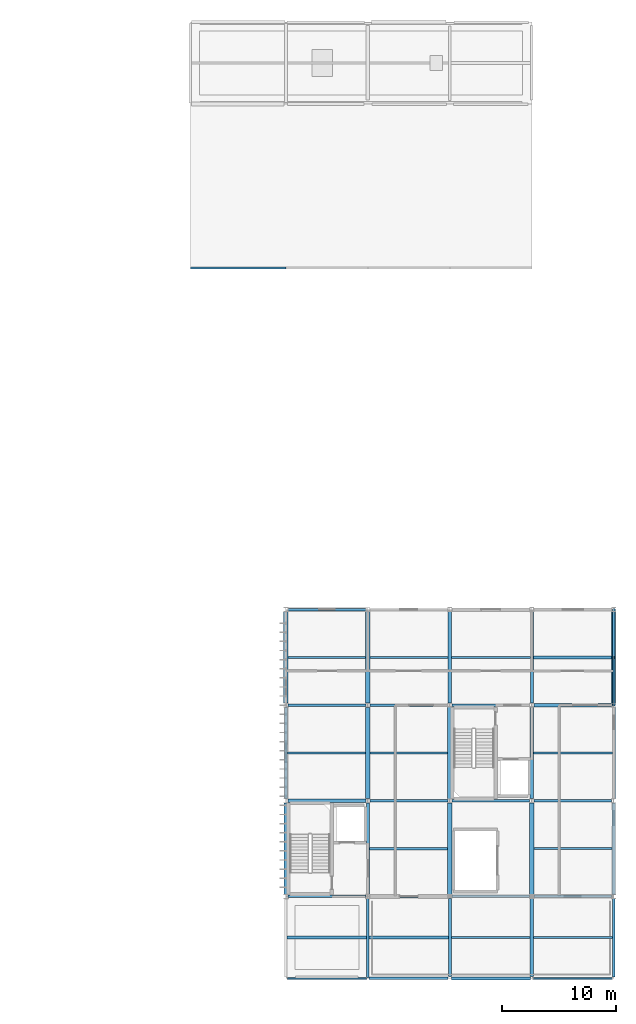
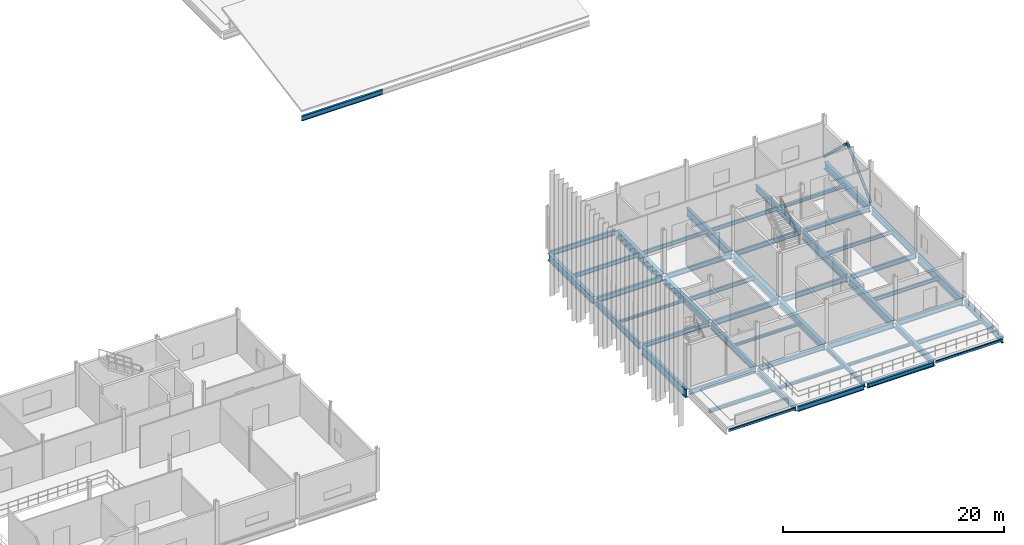
# One storey, part 17 of 45: 50 beams, 2 members.
"""IFC4 building model written with IfcOpenShell, lengths in metres."""

from ifc_helpers import new_model, si_unit, direction, frame, origin, origin_2d, place, context, subcontext, project, spatial, hollow_rectangle, hollow_circle, i_section, extrude, material, material_profile, profile_set, type_object, element, save


model = new_model("IFC4")

# Units and contexts
model_context = context("Model", 3, precision=1e-05, world=origin(), true_north=direction((0.0, 1.0)))
body_context = subcontext(model_context, "Body", "Model", "MODEL_VIEW")
ifc_project = project(units=[si_unit("LENGTHUNIT", "METRE"), si_unit("AREAUNIT", "SQUARE_METRE"), si_unit("VOLUMEUNIT", "CUBIC_METRE"), si_unit("PLANEANGLEUNIT", "RADIAN"), si_unit("MASSUNIT", "GRAM", prefix="KILO")], contexts=[model_context])

# Site, building, storey
site_placement = place(None, origin())
site = spatial("IfcSite", under=ifc_project, at=site_placement, CompositionType="ELEMENT")
building_placement = place(site_placement, origin())
building = spatial("IfcBuilding", under=site, at=building_placement, Name="Calvrana Isthmian Art Gallery", CompositionType="ELEMENT")
storey_placement = place(building_placement, frame((0.0, 0.0, 19.800048828125)))
storey = spatial("IfcBuildingStorey", under=building, at=storey_placement, Name="L04", CompositionType="ELEMENT", Elevation=19.800048828125)

# Beams
ifc_material_1 = material(Name="Steel ASTM A992 Gr 50", Category="steel")
ifc_material_profile_1 = material_profile(ifc_material_1, i_section(OverallWidth=0.279052734375, OverallDepth=0.4619140625, WebThickness=0.0107421875, FlangeThickness=0.017333984375, FilletRadius=0.02001953125, at=origin_2d()), Name="W18X76")
ifc_profile_set_1 = profile_set([ifc_material_profile_1], Name="Steel ASTM A992 Gr 50")
beam_type_1 = type_object("IfcBeamType", Name="BM-G-W18X76", PredefinedType="BEAM", material=ifc_profile_set_1)
beam_1_placement = place(storey_placement, frame((127.352294921875, 14.39990234375, -0.49609375), z_axis=(1.0, 0.0, 0.0), x_axis=(0.0, 1.0, 0.0)))
element("IfcBeam", 1, at=beam_1_placement, inside=storey, type_object=beam_type_1, Name="Girder X L04 17-18/C", PredefinedType="BEAM", context=body_context, shape_type="SweptSolid", body=[
    extrude(i_section(OverallWidth=0.279052734375, OverallDepth=0.4619140625, WebThickness=0.0107421875, FlangeThickness=0.017333984375, FilletRadius=0.02001953125, at=origin_2d()), origin(), (0.0, 0.0, 1.0), 6.946044921875),
])
beam_2_placement = place(storey_placement, frame((120.18408203125, 21.60009765625, -0.49609375), z_axis=(1.0, 0.0, 0.0), x_axis=(0.0, 1.0, 0.0)))
element("IfcBeam", 2, at=beam_2_placement, inside=storey, type_object=beam_type_1, Name="Girder X L04 16-17/D", PredefinedType="BEAM", context=body_context, shape_type="SweptSolid", body=[
    extrude(i_section(OverallWidth=0.279052734375, OverallDepth=0.4619140625, WebThickness=0.0107421875, FlangeThickness=0.017333984375, FilletRadius=0.02001953125, at=origin_2d()), origin(), (0.0, 0.0, 1.0), 6.829345703125),
])
beam_3_placement = place(storey_placement, frame((112.986572265625, 30.0, -0.49609375), z_axis=(1.0, 0.0, 0.0), x_axis=(0.0, 1.0, 0.0)))
element("IfcBeam", 3, at=beam_3_placement, inside=storey, type_object=beam_type_1, Name="Girder X L04 15-16/E", PredefinedType="BEAM", context=body_context, shape_type="SweptSolid", body=[
    extrude(i_section(OverallWidth=0.279052734375, OverallDepth=0.4619140625, WebThickness=0.0107421875, FlangeThickness=0.017333984375, FilletRadius=0.02001953125, at=origin_2d()), origin(), (0.0, 0.0, 1.0), 6.827880859375),
])
beam_4_placement = place(storey_placement, frame((134.583984375, 38.39990234375, -0.49609375), z_axis=(1.0, 0.0, 0.0), x_axis=(0.0, 1.0, 0.0)))
element("IfcBeam", 4, at=beam_4_placement, inside=storey, type_object=beam_type_1, Name="Girder X L04 18-19/F", PredefinedType="BEAM", context=body_context, shape_type="SweptSolid", body=[
    extrude(i_section(OverallWidth=0.279052734375, OverallDepth=0.4619140625, WebThickness=0.0107421875, FlangeThickness=0.017333984375, FilletRadius=0.02001953125, at=origin_2d()), origin(), (0.0, 0.0, 1.0), 6.82958984375),
])
beam_5_placement = place(storey_placement, frame((127.199951171875, 14.552490234375, -0.49609375), z_axis=(0.0, 1.0, 0.0), x_axis=(-1.0, 0.0, 0.0)))
element("IfcBeam", 5, at=beam_5_placement, inside=storey, type_object=beam_type_1, Name="Girder Y L04 17/C-D", PredefinedType="BEAM", context=body_context, shape_type="SweptSolid", body=[
    extrude(i_section(OverallWidth=0.279052734375, OverallDepth=0.4619140625, WebThickness=0.0107421875, FlangeThickness=0.017333984375, FilletRadius=0.02001953125, at=origin_2d()), origin(), (0.0, 0.0, 1.0), 6.861083984375),
])
ifc_material_profile_2 = material_profile(ifc_material_1, i_section(OverallWidth=0.208984375, OverallDepth=0.532958984375, WebThickness=0.01025390625, FlangeThickness=0.015625, FilletRadius=0.02099609375, at=origin_2d()), Name="W21X62")
ifc_profile_set_2 = profile_set([ifc_material_profile_2], Name="Steel ASTM A992 Gr 50")
beam_type_2 = type_object("IfcBeamType", Name="BM-G-W21X62", PredefinedType="BEAM", material=ifc_profile_set_2)
beam_6_placement = place(storey_placement, frame((120.1015625, 14.39990234375, -0.531494140625), z_axis=(1.0, 0.0, 0.0), x_axis=(0.0, 1.0, 0.0)))
element("IfcBeam", 6, at=beam_6_placement, inside=storey, type_object=beam_type_2, Name="Girder X L04 16-17/C", PredefinedType="BEAM", context=body_context, shape_type="SweptSolid", body=[
    extrude(i_section(OverallWidth=0.208984375, OverallDepth=0.532958984375, WebThickness=0.01025390625, FlangeThickness=0.015625, FilletRadius=0.02099609375, at=origin_2d()), origin(), (0.0, 0.0, 1.0), 6.946044921875),
])
beam_7_placement = place(storey_placement, frame((112.985595703125, 21.60009765625, -0.531494140625), z_axis=(1.0, 0.0, 0.0), x_axis=(0.0, 1.0, 0.0)))
element("IfcBeam", 7, at=beam_7_placement, inside=storey, type_object=beam_type_2, Name="Girder X L04 15-16/D", PredefinedType="BEAM", context=body_context, shape_type="SweptSolid", body=[
    extrude(i_section(OverallWidth=0.208984375, OverallDepth=0.532958984375, WebThickness=0.01025390625, FlangeThickness=0.015625, FilletRadius=0.02099609375, at=origin_2d()), origin(), (0.0, 0.0, 1.0), 6.830322265625),
])
beam_8_placement = place(storey_placement, frame((134.58642578125, 30.0, -0.531494140625), z_axis=(1.0, 0.0, 0.0), x_axis=(0.0, 1.0, 0.0)))
element("IfcBeam", 8, at=beam_8_placement, inside=storey, type_object=beam_type_2, Name="Girder X L04 18-19/E", PredefinedType="BEAM", context=body_context, shape_type="SweptSolid", body=[
    extrude(i_section(OverallWidth=0.208984375, OverallDepth=0.532958984375, WebThickness=0.01025390625, FlangeThickness=0.015625, FilletRadius=0.02099609375, at=origin_2d()), origin(), (0.0, 0.0, 1.0), 6.8271484375),
])
beam_9_placement = place(storey_placement, frame((127.385498046875, 38.39990234375, -0.531494140625), z_axis=(1.0, 0.0, 0.0), x_axis=(0.0, 1.0, 0.0)))
element("IfcBeam", 9, at=beam_9_placement, inside=storey, type_object=beam_type_2, Name="Girder X L04 17-18/F", PredefinedType="BEAM", context=body_context, shape_type="SweptSolid", body=[
    extrude(i_section(OverallWidth=0.208984375, OverallDepth=0.532958984375, WebThickness=0.01025390625, FlangeThickness=0.015625, FilletRadius=0.02099609375, at=origin_2d()), origin(), (0.0, 0.0, 1.0), 6.83056640625),
])
beam_10_placement = place(storey_placement, frame((120.0, 14.501708984375, -0.531494140625), z_axis=(0.0, 1.0, 0.0), x_axis=(-1.0, 0.0, 0.0)))
element("IfcBeam", 10, at=beam_10_placement, inside=storey, type_object=beam_type_2, Name="Girder Y L04 16/C-D", PredefinedType="BEAM", context=body_context, shape_type="SweptSolid", body=[
    extrude(i_section(OverallWidth=0.208984375, OverallDepth=0.532958984375, WebThickness=0.01025390625, FlangeThickness=0.015625, FilletRadius=0.02099609375, at=origin_2d()), origin(), (0.0, 0.0, 1.0), 6.92041015625),
])
beam_11_placement = place(storey_placement, frame((104.39990234375, 76.800048828125, -0.820068359375), z_axis=(1.0, 0.0, 0.0), x_axis=(0.0, 1.0, 0.0)))
element("IfcBeam", 11, at=beam_11_placement, inside=storey, type_object=beam_type_2, Name="Sloped roof rafter SROOF_V5_CLER-31", PredefinedType="BEAM", context=body_context, shape_type="SweptSolid", body=[
    extrude(i_section(OverallWidth=0.208984375, OverallDepth=0.532958984375, WebThickness=0.01025390625, FlangeThickness=0.015625, FilletRadius=0.02099609375, at=origin_2d()), origin(), (0.0, 0.0, 1.0), 8.400146484375),
])
ifc_material_profile_3 = material_profile(ifc_material_1, i_section(OverallWidth=0.214111328125, OverallDepth=0.549072265625, WebThickness=0.0146484375, FlangeThickness=0.023681640625, FilletRadius=0.02099609375, at=origin_2d()), Name="W21X93")
ifc_profile_set_3 = profile_set([ifc_material_profile_3], Name="Steel ASTM A992 Gr 50")
beam_type_3 = type_object("IfcBeamType", Name="BM-G-W21X93", PredefinedType="BEAM", material=ifc_profile_set_3)
beam_12_placement = place(storey_placement, frame((134.58642578125, 21.60009765625, -0.53955078125), z_axis=(1.0, 0.0, 0.0), x_axis=(0.0, 1.0, 0.0)))
element("IfcBeam", 12, at=beam_12_placement, inside=storey, type_object=beam_type_3, Name="Girder X L04 18-19/D", PredefinedType="BEAM", context=body_context, shape_type="SweptSolid", body=[
    extrude(i_section(OverallWidth=0.214111328125, OverallDepth=0.549072265625, WebThickness=0.0146484375, FlangeThickness=0.023681640625, FilletRadius=0.02099609375, at=origin_2d()), origin(), (0.0, 0.0, 1.0), 6.828125),
])
beam_13_placement = place(storey_placement, frame((127.384033203125, 30.0, -0.53955078125), z_axis=(1.0, 0.0, 0.0), x_axis=(0.0, 1.0, 0.0)))
element("IfcBeam", 13, at=beam_13_placement, inside=storey, type_object=beam_type_3, Name="Girder X L04 17-18/E", PredefinedType="BEAM", context=body_context, shape_type="SweptSolid", body=[
    extrude(i_section(OverallWidth=0.214111328125, OverallDepth=0.549072265625, WebThickness=0.0146484375, FlangeThickness=0.023681640625, FilletRadius=0.02099609375, at=origin_2d()), origin(), (0.0, 0.0, 1.0), 6.829345703125),
])
beam_14_placement = place(storey_placement, frame((120.1865234375, 38.39990234375, -0.53955078125), z_axis=(1.0, 0.0, 0.0), x_axis=(0.0, 1.0, 0.0)))
element("IfcBeam", 14, at=beam_14_placement, inside=storey, type_object=beam_type_3, Name="Girder X L04 16-17/F", PredefinedType="BEAM", context=body_context, shape_type="SweptSolid", body=[
    extrude(i_section(OverallWidth=0.214111328125, OverallDepth=0.549072265625, WebThickness=0.0146484375, FlangeThickness=0.023681640625, FilletRadius=0.02099609375, at=origin_2d()), origin(), (0.0, 0.0, 1.0), 6.827880859375),
])
beam_15_placement = place(storey_placement, frame((112.98388671875, 46.800048828125, -0.53955078125), z_axis=(1.0, 0.0, 0.0), x_axis=(0.0, 1.0, 0.0)))
element("IfcBeam", 15, at=beam_15_placement, inside=storey, type_object=beam_type_3, Name="Girder X L04 15-16/G", PredefinedType="BEAM", context=body_context, shape_type="SweptSolid", body=[
    extrude(i_section(OverallWidth=0.214111328125, OverallDepth=0.549072265625, WebThickness=0.0146484375, FlangeThickness=0.023681640625, FilletRadius=0.02099609375, at=origin_2d()), origin(), (0.0, 0.0, 1.0), 6.82958984375),
])
ifc_material_profile_4 = material_profile(ifc_material_1, i_section(OverallWidth=0.324951171875, OverallDepth=0.612060546875, WebThickness=0.0126953125, FlangeThickness=0.01904296875, FilletRadius=0.02197265625, at=origin_2d()), Name="W24X104")
ifc_profile_set_4 = profile_set([ifc_material_profile_4], Name="Steel ASTM A992 Gr 50")
beam_type_4 = type_object("IfcBeamType", Name="BM-G-W24X104", PredefinedType="BEAM", material=ifc_profile_set_4)
beam_16_placement = place(storey_placement, frame((134.39990234375, 14.552490234375, -0.571044921875), z_axis=(0.0, 1.0, 0.0), x_axis=(-1.0, 0.0, 0.0)))
element("IfcBeam", 16, at=beam_16_placement, inside=storey, type_object=beam_type_4, Name="Girder Y L04 18/C-D", PredefinedType="BEAM", context=body_context, shape_type="SweptSolid", body=[
    extrude(i_section(OverallWidth=0.324951171875, OverallDepth=0.612060546875, WebThickness=0.0126953125, FlangeThickness=0.01904296875, FilletRadius=0.02197265625, at=origin_2d()), origin(), (0.0, 0.0, 1.0), 6.863525390625),
])
ifc_material_profile_5 = material_profile(ifc_material_1, i_section(OverallWidth=0.22802734375, OverallDepth=0.60693359375, WebThickness=0.01123046875, FlangeThickness=0.017333984375, FilletRadius=0.02197265625, at=origin_2d()), Name="W24X76")
ifc_profile_set_5 = profile_set([ifc_material_profile_5], Name="Steel ASTM A992 Gr 50")
beam_type_5 = type_object("IfcBeamType", Name="BM-G-W24X76", PredefinedType="BEAM", material=ifc_profile_set_5)
beam_17_placement = place(storey_placement, frame((127.386474609375, 21.60009765625, -0.568603515625), z_axis=(1.0, 0.0, 0.0), x_axis=(0.0, 1.0, 0.0)))
element("IfcBeam", 17, at=beam_17_placement, inside=storey, type_object=beam_type_5, Name="Girder X L04 17-18/D", PredefinedType="BEAM", context=body_context, shape_type="SweptSolid", body=[
    extrude(i_section(OverallWidth=0.22802734375, OverallDepth=0.60693359375, WebThickness=0.01123046875, FlangeThickness=0.017333984375, FilletRadius=0.02197265625, at=origin_2d()), origin(), (0.0, 0.0, 1.0), 6.826904296875),
])
beam_18_placement = place(storey_placement, frame((120.185546875, 30.0, -0.568603515625), z_axis=(1.0, 0.0, 0.0), x_axis=(0.0, 1.0, 0.0)))
element("IfcBeam", 18, at=beam_18_placement, inside=storey, type_object=beam_type_5, Name="Girder X L04 16-17/E", PredefinedType="BEAM", context=body_context, shape_type="SweptSolid", body=[
    extrude(i_section(OverallWidth=0.22802734375, OverallDepth=0.60693359375, WebThickness=0.01123046875, FlangeThickness=0.017333984375, FilletRadius=0.02197265625, at=origin_2d()), origin(), (0.0, 0.0, 1.0), 6.83056640625),
])
beam_19_placement = place(storey_placement, frame((112.986572265625, 38.39990234375, -0.568603515625), z_axis=(1.0, 0.0, 0.0), x_axis=(0.0, 1.0, 0.0)))
element("IfcBeam", 19, at=beam_19_placement, inside=storey, type_object=beam_type_5, Name="Girder X L04 15-16/F", PredefinedType="BEAM", context=body_context, shape_type="SweptSolid", body=[
    extrude(i_section(OverallWidth=0.22802734375, OverallDepth=0.60693359375, WebThickness=0.01123046875, FlangeThickness=0.017333984375, FilletRadius=0.02197265625, at=origin_2d()), origin(), (0.0, 0.0, 1.0), 6.826904296875),
])
beam_20_placement = place(storey_placement, frame((141.60009765625, 14.527099609375, -0.568603515625), z_axis=(0.0, 1.0, 0.0), x_axis=(-1.0, 0.0, 0.0)))
element("IfcBeam", 20, at=beam_20_placement, inside=storey, type_object=beam_type_5, Name="Girder Y L04 19/C-D", PredefinedType="BEAM", context=body_context, shape_type="SweptSolid", body=[
    extrude(i_section(OverallWidth=0.22802734375, OverallDepth=0.60693359375, WebThickness=0.01123046875, FlangeThickness=0.017333984375, FilletRadius=0.02197265625, at=origin_2d()), origin(), (0.0, 0.0, 1.0), 6.891357421875),
])
ifc_material_profile_6 = material_profile(ifc_material_1, i_section(OverallWidth=0.257080078125, OverallDepth=0.693115234375, WebThickness=0.014404296875, FlangeThickness=0.023681640625, FilletRadius=0.02392578125, at=origin_2d()), Name="W27X114")
ifc_profile_set_6 = profile_set([ifc_material_profile_6], Name="Steel ASTM A992 Gr 50")
beam_type_6 = type_object("IfcBeamType", Name="BM-G-W27X114", PredefinedType="BEAM", material=ifc_profile_set_6)
beam_21_placement = place(storey_placement, frame((112.800048828125, 30.18408203125, -0.611572265625), z_axis=(0.0, 1.0, 0.0), x_axis=(-1.0, 0.0, 0.0)))
element("IfcBeam", 21, at=beam_21_placement, inside=storey, type_object=beam_type_6, Name="Girder Y L04 15/E-F", PredefinedType="BEAM", context=body_context, shape_type="SweptSolid", body=[
    extrude(i_section(OverallWidth=0.257080078125, OverallDepth=0.693115234375, WebThickness=0.014404296875, FlangeThickness=0.023681640625, FilletRadius=0.02392578125, at=origin_2d()), origin(), (0.0, 0.0, 1.0), 8.029296875),
])
for number, where, z_axis, x_axis, name in (
    (22, (120.0, 21.778076171875, -0.611572265625), (0.0, 1.0, 0.0), (-1.0, 0.0, 0.0), "Girder Y L04 16/D-E"),
    (23, (134.39990234375, 38.577880859375, -0.611572265625), (0.0, 1.0, 0.0), (-1.0, 0.0, 0.0), "Girder Y L04 18/F-G"),
):
    element("IfcBeam", number, at=place(storey_placement, frame(where, z_axis=z_axis, x_axis=x_axis)), inside=storey, type_object=beam_type_6, Name=name, PredefinedType="BEAM", context=body_context, shape_type="SweptSolid", body=[
        extrude(i_section(OverallWidth=0.257080078125, OverallDepth=0.693115234375, WebThickness=0.014404296875, FlangeThickness=0.023681640625, FilletRadius=0.02392578125, at=origin_2d()), origin(), (0.0, 0.0, 1.0), 8.04052734375),
    ])
beam_22_placement = place(storey_placement, frame((141.60009765625, 30.18408203125, -0.611572265625), z_axis=(0.0, 1.0, 0.0), x_axis=(-1.0, 0.0, 0.0)))
element("IfcBeam", 24, at=beam_22_placement, inside=storey, type_object=beam_type_6, Name="Girder Y L04 19/E-F", PredefinedType="BEAM", context=body_context, shape_type="SweptSolid", body=[
    extrude(i_section(OverallWidth=0.257080078125, OverallDepth=0.693115234375, WebThickness=0.014404296875, FlangeThickness=0.023681640625, FilletRadius=0.02392578125, at=origin_2d()), origin(), (0.0, 0.0, 1.0), 8.029296875),
])
ifc_material_profile_7 = material_profile(ifc_material_1, i_section(OverallWidth=0.381103515625, OverallDepth=0.77197265625, WebThickness=0.0166015625, FlangeThickness=0.027099609375, FilletRadius=0.02490234375, at=origin_2d()), Name="W30X173")
ifc_profile_set_7 = profile_set([ifc_material_profile_7], Name="Steel ASTM A992 Gr 50")
beam_type_7 = type_object("IfcBeamType", Name="BM-G-W30X173", PredefinedType="BEAM", material=ifc_profile_set_7)
beam_23_placement = place(storey_placement, frame((112.800048828125, 38.58642578125, -0.651123046875), z_axis=(0.0, 1.0, 0.0), x_axis=(-1.0, 0.0, 0.0)))
element("IfcBeam", 25, at=beam_23_placement, inside=storey, type_object=beam_type_7, Name="Girder Y L04 15/F-G", PredefinedType="BEAM", context=body_context, shape_type="SweptSolid", body=[
    extrude(i_section(OverallWidth=0.381103515625, OverallDepth=0.77197265625, WebThickness=0.0166015625, FlangeThickness=0.027099609375, FilletRadius=0.02490234375, at=origin_2d()), origin(), (0.0, 0.0, 1.0), 8.03564453125),
])
beam_24_placement = place(storey_placement, frame((120.0, 30.181396484375, -0.651123046875), z_axis=(0.0, 1.0, 0.0), x_axis=(-1.0, 0.0, 0.0)))
element("IfcBeam", 26, at=beam_24_placement, inside=storey, type_object=beam_type_7, Name="Girder Y L04 16/E-F", PredefinedType="BEAM", context=body_context, shape_type="SweptSolid", body=[
    extrude(i_section(OverallWidth=0.381103515625, OverallDepth=0.77197265625, WebThickness=0.0166015625, FlangeThickness=0.027099609375, FilletRadius=0.02490234375, at=origin_2d()), origin(), (0.0, 0.0, 1.0), 8.03466796875),
])
beam_25_placement = place(storey_placement, frame((127.199951171875, 21.78662109375, -0.651123046875), z_axis=(0.0, 1.0, 0.0), x_axis=(-1.0, 0.0, 0.0)))
element("IfcBeam", 27, at=beam_25_placement, inside=storey, type_object=beam_type_7, Name="Girder Y L04 17/D-E", PredefinedType="BEAM", context=body_context, shape_type="SweptSolid", body=[
    extrude(i_section(OverallWidth=0.381103515625, OverallDepth=0.77197265625, WebThickness=0.0166015625, FlangeThickness=0.027099609375, FilletRadius=0.02490234375, at=origin_2d()), origin(), (0.0, 0.0, 1.0), 8.035400390625),
])
beam_26_placement = place(storey_placement, frame((141.60009765625, 38.58642578125, -0.651123046875), z_axis=(0.0, 1.0, 0.0), x_axis=(-1.0, 0.0, 0.0)))
element("IfcBeam", 28, at=beam_26_placement, inside=storey, type_object=beam_type_7, Name="Girder Y L04 19/F-G", PredefinedType="BEAM", context=body_context, shape_type="SweptSolid", body=[
    extrude(i_section(OverallWidth=0.381103515625, OverallDepth=0.77197265625, WebThickness=0.0166015625, FlangeThickness=0.027099609375, FilletRadius=0.02490234375, at=origin_2d()), origin(), (0.0, 0.0, 1.0), 8.03564453125),
])
ifc_material_profile_8 = material_profile(ifc_material_1, i_section(OverallWidth=0.40087890625, OverallDepth=0.85595703125, WebThickness=0.018310546875, FlangeThickness=0.029296875, FilletRadius=0.02587890625, at=origin_2d()), Name="W33X201")
ifc_profile_set_8 = profile_set([ifc_material_profile_8], Name="Steel ASTM A992 Gr 50")
beam_type_8 = type_object("IfcBeamType", Name="BM-G-W33X201", PredefinedType="BEAM", material=ifc_profile_set_8)
beam_27_placement = place(storey_placement, frame((120.0, 38.583984375, -0.693115234375), z_axis=(0.0, 1.0, 0.0), x_axis=(-1.0, 0.0, 0.0)))
element("IfcBeam", 29, at=beam_27_placement, inside=storey, type_object=beam_type_8, Name="Girder Y L04 16/F-G", PredefinedType="BEAM", context=body_context, shape_type="SweptSolid", body=[
    extrude(i_section(OverallWidth=0.40087890625, OverallDepth=0.85595703125, WebThickness=0.018310546875, FlangeThickness=0.029296875, FilletRadius=0.02587890625, at=origin_2d()), origin(), (0.0, 0.0, 1.0), 8.029541015625),
])
beam_28_placement = place(storey_placement, frame((127.199951171875, 30.177978515625, -0.693115234375), z_axis=(0.0, 1.0, 0.0), x_axis=(-1.0, 0.0, 0.0)))
element("IfcBeam", 30, at=beam_28_placement, inside=storey, type_object=beam_type_8, Name="Girder Y L04 17/E-F", PredefinedType="BEAM", context=body_context, shape_type="SweptSolid", body=[
    extrude(i_section(OverallWidth=0.40087890625, OverallDepth=0.85595703125, WebThickness=0.018310546875, FlangeThickness=0.029296875, FilletRadius=0.02587890625, at=origin_2d()), origin(), (0.0, 0.0, 1.0), 8.04052734375),
])
beam_29_placement = place(storey_placement, frame((134.39990234375, 21.783935546875, -0.693115234375), z_axis=(0.0, 1.0, 0.0), x_axis=(-1.0, 0.0, 0.0)))
element("IfcBeam", 31, at=beam_29_placement, inside=storey, type_object=beam_type_8, Name="Girder Y L04 18/D-E", PredefinedType="BEAM", context=body_context, shape_type="SweptSolid", body=[
    extrude(i_section(OverallWidth=0.40087890625, OverallDepth=0.85595703125, WebThickness=0.018310546875, FlangeThickness=0.029296875, FilletRadius=0.02587890625, at=origin_2d()), origin(), (0.0, 0.0, 1.0), 8.029541015625),
])
ifc_material_profile_9 = material_profile(ifc_material_1, i_section(OverallWidth=0.306884765625, OverallDepth=0.927001953125, WebThickness=0.019287109375, FlangeThickness=0.031982421875, FilletRadius=0.028076171875, at=origin_2d()), Name="W36X194")
ifc_profile_set_9 = profile_set([ifc_material_profile_9], Name="Steel ASTM A992 Gr 50")
beam_type_9 = type_object("IfcBeamType", Name="BM-G-W36X194", PredefinedType="BEAM", material=ifc_profile_set_9)
for number, where, z_axis, x_axis, name in (
    (32, (112.800048828125, 21.781494140625, -0.728515625), (0.0, 1.0, 0.0), (-1.0, 0.0, 0.0), "Girder Y L04 15/D-E"),
    (33, (127.199951171875, 38.58154296875, -0.728515625), (0.0, 1.0, 0.0), (-1.0, 0.0, 0.0), "Girder Y L04 17/F-G"),
):
    element("IfcBeam", number, at=place(storey_placement, frame(where, z_axis=z_axis, x_axis=x_axis)), inside=storey, type_object=beam_type_9, Name=name, PredefinedType="BEAM", context=body_context, shape_type="SweptSolid", body=[
        extrude(i_section(OverallWidth=0.306884765625, OverallDepth=0.927001953125, WebThickness=0.019287109375, FlangeThickness=0.031982421875, FilletRadius=0.028076171875, at=origin_2d()), origin(), (0.0, 0.0, 1.0), 8.034423828125),
    ])
beam_30_placement = place(storey_placement, frame((134.39990234375, 30.1865234375, -0.728515625), z_axis=(0.0, 1.0, 0.0), x_axis=(-1.0, 0.0, 0.0)))
element("IfcBeam", 34, at=beam_30_placement, inside=storey, type_object=beam_type_9, Name="Girder Y L04 18/E-F", PredefinedType="BEAM", context=body_context, shape_type="SweptSolid", body=[
    extrude(i_section(OverallWidth=0.306884765625, OverallDepth=0.927001953125, WebThickness=0.019287109375, FlangeThickness=0.031982421875, FilletRadius=0.028076171875, at=origin_2d()), origin(), (0.0, 0.0, 1.0), 8.035400390625),
])
beam_31_placement = place(storey_placement, frame((141.60009765625, 21.781494140625, -0.728515625), z_axis=(0.0, 1.0, 0.0), x_axis=(-1.0, 0.0, 0.0)))
element("IfcBeam", 35, at=beam_31_placement, inside=storey, type_object=beam_type_9, Name="Girder Y L04 19/D-E", PredefinedType="BEAM", context=body_context, shape_type="SweptSolid", body=[
    extrude(i_section(OverallWidth=0.306884765625, OverallDepth=0.927001953125, WebThickness=0.019287109375, FlangeThickness=0.031982421875, FilletRadius=0.028076171875, at=origin_2d()), origin(), (0.0, 0.0, 1.0), 8.034423828125),
])
ifc_material_profile_10 = material_profile(ifc_material_1, i_section(OverallWidth=0.202880859375, OverallDepth=0.302001953125, WebThickness=0.007568359375, FlangeThickness=0.01318359375, FilletRadius=0.01611328125, at=origin_2d()), Name="W12X40")
ifc_profile_set_10 = profile_set([ifc_material_profile_10], Name="Steel ASTM A992 Gr 50")
beam_type_10 = type_object("IfcBeamType", Name="BM-J-W12X40", PredefinedType="JOIST", material=ifc_profile_set_10)
for number, where, z_axis, x_axis, name in (
    (36, (112.928466796875, 34.199951171875, -0.416015625), (1.0, 0.0, 0.0), (0.0, 1.0, 0.0), "Composite joist L04 bay 14-04"),
    (37, (120.12841796875, 25.800048828125, -0.416015625), (1.0, 0.0, 0.0), (0.0, 1.0, 0.0), "Composite joist L04 bay 15-03"),
):
    element("IfcBeam", number, at=place(storey_placement, frame(where, z_axis=z_axis, x_axis=x_axis)), inside=storey, type_object=beam_type_10, Name=name, PredefinedType="JOIST", context=body_context, shape_type="SweptSolid", body=[
        extrude(i_section(OverallWidth=0.202880859375, OverallDepth=0.302001953125, WebThickness=0.007568359375, FlangeThickness=0.01318359375, FilletRadius=0.01611328125, at=origin_2d()), origin(), (0.0, 0.0, 1.0), 6.881103515625),
    ])
beam_32_placement = place(storey_placement, frame((127.339599609375, 18.0, -0.416015625), z_axis=(1.0, 0.0, 0.0), x_axis=(0.0, 1.0, 0.0)))
element("IfcBeam", 38, at=beam_32_placement, inside=storey, type_object=beam_type_10, Name="Composite joist L04 bay 16-02", PredefinedType="JOIST", context=body_context, shape_type="SweptSolid", body=[
    extrude(i_section(OverallWidth=0.202880859375, OverallDepth=0.302001953125, WebThickness=0.007568359375, FlangeThickness=0.01318359375, FilletRadius=0.01611328125, at=origin_2d()), origin(), (0.0, 0.0, 1.0), 6.89794921875),
])
ifc_material_profile_11 = material_profile(ifc_material_1, i_section(OverallWidth=0.25390625, OverallDepth=0.306884765625, WebThickness=0.0087890625, FlangeThickness=0.0146484375, FilletRadius=0.01611328125, at=origin_2d()), Name="W12X53")
ifc_profile_set_11 = profile_set([ifc_material_profile_11], Name="Steel ASTM A992 Gr 50")
beam_type_11 = type_object("IfcBeamType", Name="BM-J-W12X53", PredefinedType="JOIST", material=ifc_profile_set_11)
beam_33_placement = place(storey_placement, frame((120.1044921875, 18.0, -0.41845703125), z_axis=(1.0, 0.0, 0.0), x_axis=(0.0, 1.0, 0.0)))
element("IfcBeam", 39, at=beam_33_placement, inside=storey, type_object=beam_type_11, Name="Composite joist L04 bay 15-02", PredefinedType="JOIST", context=body_context, shape_type="SweptSolid", body=[
    extrude(i_section(OverallWidth=0.25390625, OverallDepth=0.306884765625, WebThickness=0.0087890625, FlangeThickness=0.0146484375, FilletRadius=0.01611328125, at=origin_2d()), origin(), (0.0, 0.0, 1.0), 6.9560546875),
])
ifc_material_profile_12 = material_profile(ifc_material_1, i_section(OverallWidth=0.25390625, OverallDepth=0.35302734375, WebThickness=0.009521484375, FlangeThickness=0.016357421875, FilletRadius=0.01806640625, at=origin_2d()), Name="W14X61")
ifc_profile_set_12 = profile_set([ifc_material_profile_12], Name="Steel ASTM A992 Gr 50")
beam_type_12 = type_object("IfcBeamType", Name="BM-J-W14X61", PredefinedType="JOIST", material=ifc_profile_set_12)
beam_34_placement = place(storey_placement, frame((112.9140625, 18.0, -0.441650390625), z_axis=(1.0, 0.0, 0.0), x_axis=(0.0, 1.0, 0.0)))
element("IfcBeam", 40, at=beam_34_placement, inside=storey, type_object=beam_type_12, Name="Composite joist L04 bay 14-02", PredefinedType="JOIST", context=body_context, shape_type="SweptSolid", body=[
    extrude(i_section(OverallWidth=0.25390625, OverallDepth=0.35302734375, WebThickness=0.009521484375, FlangeThickness=0.016357421875, FilletRadius=0.01806640625, at=origin_2d()), origin(), (0.0, 0.0, 1.0), 6.9814453125),
])
beam_35_placement = place(storey_placement, frame((134.528564453125, 42.60009765625, -0.441650390625), z_axis=(1.0, 0.0, 0.0), x_axis=(0.0, 1.0, 0.0)))
element("IfcBeam", 41, at=beam_35_placement, inside=storey, type_object=beam_type_12, Name="Composite joist L04 bay 17-05", PredefinedType="JOIST", context=body_context, shape_type="SweptSolid", body=[
    extrude(i_section(OverallWidth=0.25390625, OverallDepth=0.35302734375, WebThickness=0.009521484375, FlangeThickness=0.016357421875, FilletRadius=0.01806640625, at=origin_2d()), origin(), (0.0, 0.0, 1.0), 6.880859375),
])
ifc_material_profile_13 = material_profile(ifc_material_1, i_section(OverallWidth=0.177978515625, OverallDepth=0.404052734375, WebThickness=0.007568359375, FlangeThickness=0.010986328125, FilletRadius=0.01806640625, at=origin_2d()), Name="W16X36")
ifc_profile_set_13 = profile_set([ifc_material_profile_13], Name="Steel ASTM A992 Gr 50")
beam_type_13 = type_object("IfcBeamType", Name="BM-J-W16X36", PredefinedType="JOIST", material=ifc_profile_set_13)
for number, where, z_axis, x_axis, name in (
    (42, (127.353515625, 42.60009765625, -0.467041015625), (1.0, 0.0, 0.0), (0.0, 1.0, 0.0), "Composite joist L04 bay 16-05"),
    (43, (134.553466796875, 34.199951171875, -0.467041015625), (1.0, 0.0, 0.0), (0.0, 1.0, 0.0), "Composite joist L04 bay 17-04"),
):
    element("IfcBeam", number, at=place(storey_placement, frame(where, z_axis=z_axis, x_axis=x_axis)), inside=storey, type_object=beam_type_13, Name=name, PredefinedType="JOIST", context=body_context, shape_type="SweptSolid", body=[
        extrude(i_section(OverallWidth=0.177978515625, OverallDepth=0.404052734375, WebThickness=0.007568359375, FlangeThickness=0.010986328125, FilletRadius=0.01806640625, at=origin_2d()), origin(), (0.0, 0.0, 1.0), 6.91796875),
    ])
ifc_material_profile_14 = material_profile(ifc_material_1, i_section(OverallWidth=0.179931640625, OverallDepth=0.4140625, WebThickness=0.009765625, FlangeThickness=0.01611328125, FilletRadius=0.01806640625, at=origin_2d()), Name="W16X50")
ifc_profile_set_14 = profile_set([ifc_material_profile_14], Name="Steel ASTM A992 Gr 50")
beam_type_14 = type_object("IfcBeamType", Name="BM-J-W16X50", PredefinedType="JOIST", material=ifc_profile_set_14)
for number, where, z_axis, x_axis, name in (
    (44, (120.200439453125, 42.60009765625, -0.47216796875), (1.0, 0.0, 0.0), (0.0, 1.0, 0.0), "Composite joist L04 bay 15-05"),
    (45, (134.6005859375, 25.800048828125, -0.47216796875), (1.0, 0.0, 0.0), (0.0, 1.0, 0.0), "Composite joist L04 bay 17-03"),
):
    element("IfcBeam", number, at=place(storey_placement, frame(where, z_axis=z_axis, x_axis=x_axis)), inside=storey, type_object=beam_type_14, Name=name, PredefinedType="JOIST", context=body_context, shape_type="SweptSolid", body=[
        extrude(i_section(OverallWidth=0.179931640625, OverallDepth=0.4140625, WebThickness=0.009765625, FlangeThickness=0.01611328125, FilletRadius=0.01806640625, at=origin_2d()), origin(), (0.0, 0.0, 1.0), 6.845947265625),
    ])
ifc_material_profile_15 = material_profile(ifc_material_1, i_section(OverallWidth=0.19091796875, OverallDepth=0.45703125, WebThickness=0.009033203125, FlangeThickness=0.014404296875, FilletRadius=0.02001953125, at=origin_2d()), Name="W18X50")
ifc_profile_set_15 = profile_set([ifc_material_profile_15], Name="Steel ASTM A992 Gr 50")
beam_type_15 = type_object("IfcBeamType", Name="BM-J-W18X50", PredefinedType="JOIST", material=ifc_profile_set_15)
for number, where, z_axis, x_axis, name in (
    (46, (112.990478515625, 42.60009765625, -0.49365234375), (1.0, 0.0, 0.0), (0.0, 1.0, 0.0), "Composite joist L04 bay 14-05"),
    (47, (120.1904296875, 34.199951171875, -0.49365234375), (1.0, 0.0, 0.0), (0.0, 1.0, 0.0), "Composite joist L04 bay 15-04"),
):
    element("IfcBeam", number, at=place(storey_placement, frame(where, z_axis=z_axis, x_axis=x_axis)), inside=storey, type_object=beam_type_15, Name=name, PredefinedType="JOIST", context=body_context, shape_type="SweptSolid", body=[
        extrude(i_section(OverallWidth=0.19091796875, OverallDepth=0.45703125, WebThickness=0.009033203125, FlangeThickness=0.014404296875, FilletRadius=0.02001953125, at=origin_2d()), origin(), (0.0, 0.0, 1.0), 6.80908203125),
    ])
beam_36_placement = place(storey_placement, frame((134.5625, 18.0, -0.49365234375), z_axis=(1.0, 0.0, 0.0), x_axis=(0.0, 1.0, 0.0)))
element("IfcBeam", 48, at=beam_36_placement, inside=storey, type_object=beam_type_15, Name="Composite joist L04 bay 17-02", PredefinedType="JOIST", context=body_context, shape_type="SweptSolid", body=[
    extrude(i_section(OverallWidth=0.19091796875, OverallDepth=0.45703125, WebThickness=0.009033203125, FlangeThickness=0.014404296875, FilletRadius=0.02001953125, at=origin_2d()), origin(), (0.0, 0.0, 1.0), 6.923583984375),
])
ifc_material_2 = material(Name="Steel ASTM A500 Gr C", Category="steel")
ifc_material_profile_16 = material_profile(ifc_material_2, hollow_rectangle(XDim=0.15234375, YDim=0.25390625, WallThickness=0.009521484375, OuterFilletRadius=0.01904296875, at=origin_2d()), Name="HSS254X152X9.5")
ifc_profile_set_16 = profile_set([ifc_material_profile_16], Name="Steel ASTM A500 Gr C")
beam_type_16 = type_object("IfcBeamType", Name="BM-SP-HSS254", PredefinedType="SPANDREL", material=ifc_profile_set_16)
beam_37_placement = place(storey_placement, frame((112.927001953125, 14.39990234375, -0.39208984375), z_axis=(1.0, 0.0, 0.0), x_axis=(0.0, 1.0, 0.0)))
element("IfcBeam", 49, at=beam_37_placement, inside=storey, type_object=beam_type_16, Name="Girder X L04 15-16/C", PredefinedType="SPANDREL", context=body_context, shape_type="SweptSolid", body=[
    extrude(hollow_rectangle(XDim=0.15234375, YDim=0.25390625, WallThickness=0.009521484375, OuterFilletRadius=0.01904296875, at=origin_2d()), origin(), (0.0, 0.0, 1.0), 6.971435546875),
])
beam_38_placement = place(storey_placement, frame((134.501708984375, 14.39990234375, -0.39208984375), z_axis=(1.0, 0.0, 0.0), x_axis=(0.0, 1.0, 0.0)))
element("IfcBeam", 50, at=beam_38_placement, inside=storey, type_object=beam_type_16, Name="Girder X L04 18-19/C", PredefinedType="SPANDREL", context=body_context, shape_type="SweptSolid", body=[
    extrude(hollow_rectangle(XDim=0.15234375, YDim=0.25390625, WallThickness=0.009521484375, OuterFilletRadius=0.01904296875, at=origin_2d()), origin(), (0.0, 0.0, 1.0), 6.97119140625),
])

# Members
ifc_material_profile_17 = material_profile(ifc_material_2, hollow_circle(Radius=0.136474609375, WallThickness=0.0126953125, at=origin_2d()), Name="HSS273.1X12.7")
ifc_profile_set_17 = profile_set([ifc_material_profile_17], Name="Steel ASTM A500 Gr C")
member_type = type_object("IfcMemberType", Name="MB-BR-CHS273", PredefinedType="BRACE", material=ifc_profile_set_17)
member_1_placement = place(storey_placement, frame((141.60009765625, 38.39990234375, 0.14990234375), z_axis=(0.0, 0.724406238533, 0.689373339762), x_axis=(-1.0, 0.0, 0.0)))
element("IfcMember", 51, at=member_1_placement, inside=storey, type_object=member_type, Name="Chevron lateral brace L04-11A", PredefinedType="BRACE", context=body_context, shape_type="SweptSolid", body=[
    extrude(hollow_circle(Radius=0.136474609375, WallThickness=0.0126953125, at=origin_2d()), origin(), (0.0, 0.0, 1.0), 5.798095703125),
])
member_2_placement = place(storey_placement, frame((141.60009765625, 46.800048828125, 0.14990234375), z_axis=(0.0, -0.724386226944, 0.689394367699), x_axis=(1.0, 0.0, 0.0)))
element("IfcMember", 52, at=member_2_placement, inside=storey, type_object=member_type, Name="Chevron lateral brace L04-11B", PredefinedType="BRACE", context=body_context, shape_type="SweptSolid", body=[
    extrude(hollow_circle(Radius=0.136474609375, WallThickness=0.0126953125, at=origin_2d()), origin(), (0.0, 0.0, 1.0), 5.7978515625),
])

save(model, "model.ifc")
